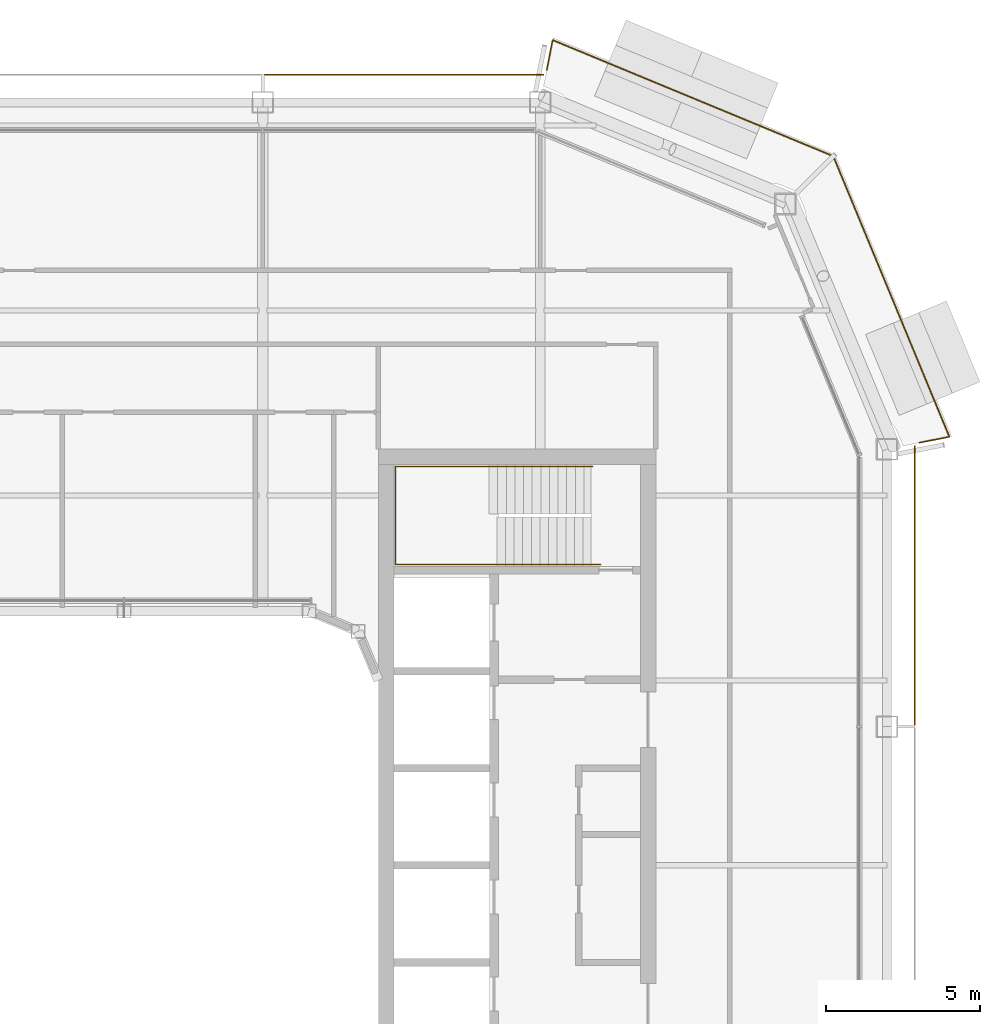
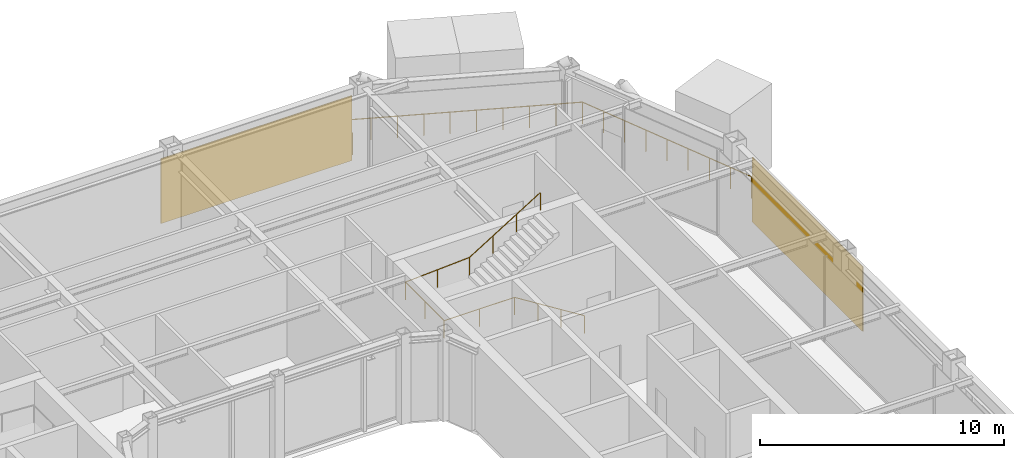
# One storey, part 20 of 21: 2 coverings, 2 railings.
"""IFC4 building model written with IfcOpenShell, lengths in metres."""

from ifc_helpers import new_model, si_unit, direction, frame, origin, origin_2d, place, context, subcontext, project, spatial, rectangle, circle, extrude, material, layer, layer_set, type_object, element, save


model = new_model("IFC4")

# Units and contexts
model_context = context("Model", 3, precision=1e-05, world=origin(), true_north=direction((0.0, 1.0)))
body_context = subcontext(model_context, "Body", "Model", "MODEL_VIEW")
ifc_project = project(units=[si_unit("LENGTHUNIT", "METRE"), si_unit("AREAUNIT", "SQUARE_METRE"), si_unit("VOLUMEUNIT", "CUBIC_METRE"), si_unit("PLANEANGLEUNIT", "RADIAN"), si_unit("MASSUNIT", "GRAM", prefix="KILO")], contexts=[model_context])

# Site, building, storey
site_placement = place(None, origin())
site = spatial("IfcSite", under=ifc_project, at=site_placement, CompositionType="ELEMENT")
building_placement = place(site_placement, origin())
building = spatial("IfcBuilding", under=site, at=building_placement, Name="Siwar Civic Tower", CompositionType="ELEMENT")
storey_placement = place(building_placement, frame((0.0, 0.0, 343.699951171875)))
storey = spatial("IfcBuildingStorey", under=building, at=storey_placement, Name="L74", CompositionType="ELEMENT", Elevation=343.699951171875)

# Railings
ifc_material_1 = material(Name="Stainless steel", Category="steel")
railing_type_1 = type_object("IfcRailingType", Name="CORE-STAIR-HANDRAIL", PredefinedType="HANDRAIL", material=ifc_material_1)
railing_1_placement = place(storey_placement, frame((15.449951171875, 9.758056640625, 0.173095703125)))
element("IfcRailing", 1, at=railing_1_placement, inside=storey, type_object=railing_type_1, Name="Stair handrail ST3", PredefinedType="HANDRAIL", context=body_context, shape_type="SweptSolid", body=[
    extrude(circle(Radius=0.02001953125, at=origin_2d()), frame((0.0, 0.0, 0.8798828125), z_axis=(-0.847063342986, 0.0, 0.531491950051), x_axis=(0.0, -1.0, 0.0)), (0.0, 0.0, 1.0), 3.90771484375),
    extrude(circle(Radius=0.02001953125, at=origin_2d()), frame((-3.31005859375, 0.0, 2.956787109375), z_axis=(-1.0, 0.0, 0.0), x_axis=(0.0, -1.0, 0.0)), (0.0, 0.0, 1.0), 3.331787109375),
    extrude(circle(Radius=0.02001953125, at=origin_2d()), frame((-6.641845703125, 0.0, 2.956787109375), z_axis=(0.0, 1.0, 0.0), x_axis=(-1.0, 0.0, 0.0)), (0.0, 0.0, 1.0), 3.183837890625),
    extrude(circle(Radius=0.02001953125, at=origin_2d()), frame((-6.641845703125, 3.183837890625, 2.956787109375), z_axis=(0.99837434197, 0.0, 0.056997134106), x_axis=(0.0, 1.0, 0.0)), (0.0, 0.0, 1.0), 3.036865234375),
    extrude(circle(Radius=0.02001953125, at=origin_2d()), frame((-3.60986328125, 3.183837890625, 3.1298828125), z_axis=(0.850606129759, 0.0, 0.525803396734), x_axis=(0.0, 1.0, 0.0)), (0.0, 0.0, 1.0), 3.949951171875),
    extrude(circle(Radius=0.02001953125, at=origin_2d()), origin(), (0.0, 0.0, 1.0), 0.85986328125),
    extrude(circle(Radius=0.02001953125, at=origin_2d()), frame((-1.103271484375, 0.0, 0.6923828125)), (0.0, 0.0, 1.0), 0.85986328125),
    extrude(circle(Radius=0.02001953125, at=origin_2d()), frame((-2.206787109375, 0.0, 1.384521484375)), (0.0, 0.0, 1.0), 0.85986328125),
    extrude(circle(Radius=0.02001953125, at=origin_2d()), frame((-3.31005859375, 0.0, 2.076904296875)), (0.0, 0.0, 1.0), 0.85986328125),
    extrude(circle(Radius=0.02001953125, at=origin_2d()), frame((-4.97607421875, 0.0, 2.076904296875)), (0.0, 0.0, 1.0), 0.85986328125),
    extrude(circle(Radius=0.02001953125, at=origin_2d()), frame((-6.641845703125, 0.0, 2.076904296875)), (0.0, 0.0, 1.0), 0.85986328125),
    extrude(circle(Radius=0.02001953125, at=origin_2d()), frame((-6.641845703125, 1.591796875, 2.076904296875)), (0.0, 0.0, 1.0), 0.85986328125),
    extrude(circle(Radius=0.02001953125, at=origin_2d()), frame((-6.641845703125, 3.183837890625, 2.076904296875)), (0.0, 0.0, 1.0), 0.85986328125),
    extrude(circle(Radius=0.02001953125, at=origin_2d()), frame((-5.1259765625, 3.183837890625, 2.16357421875)), (0.0, 0.0, 1.0), 0.85986328125),
    extrude(circle(Radius=0.02001953125, at=origin_2d()), frame((-3.60986328125, 3.183837890625, 2.25)), (0.0, 0.0, 1.0), 0.85986328125),
    extrude(circle(Radius=0.02001953125, at=origin_2d()), frame((-2.489990234375, 3.183837890625, 2.9423828125)), (0.0, 0.0, 1.0), 0.85986328125),
    extrude(circle(Radius=0.02001953125, at=origin_2d()), frame((-1.369873046875, 3.183837890625, 3.634521484375)), (0.0, 0.0, 1.0), 0.85986328125),
    extrude(circle(Radius=0.02001953125, at=origin_2d()), frame((-0.25, 3.183837890625, 4.326904296875)), (0.0, 0.0, 1.0), 0.85986328125),
])
ifc_material_2 = material(Name="Stainless steel 316", Category="steel")
railing_type_2 = type_object("IfcRailingType", Name="ENV-GUARD", PredefinedType="GUARDRAIL", material=ifc_material_2)
railing_2_placement = place(storey_placement, frame((25.797119140625, 13.708251953125, 0.0)))
element("IfcRailing", 2, at=railing_2_placement, inside=storey, type_object=railing_type_2, Name="Balcony guard NE", PredefinedType="GUARDRAIL", context=body_context, shape_type="SweptSolid", body=[
    extrude(circle(Radius=0.02392578125, at=origin_2d()), frame((0.0, 0.0, 1.076171875), z_axis=(0.980778661911, 0.195123592472, 0.0), x_axis=(-0.195123592472, 0.980778661911, 0.0)), (0.0, 0.0, 1.0), 0.993408203125),
    extrude(circle(Radius=0.02392578125, at=origin_2d()), frame((0.974365234375, 0.19384765625, 1.076171875), z_axis=(-0.38225621169, 0.924056377406, 0.0), x_axis=(-0.924056377406, -0.38225621169, 0.0)), (0.0, 0.0, 1.0), 9.851806640625),
    extrude(circle(Radius=0.02392578125, at=origin_2d()), frame((-2.79150390625, 9.29736328125, 1.076171875), z_axis=(-0.924056377406, 0.38225621169, 0.0), x_axis=(-0.38225621169, -0.924056377406, 0.0)), (0.0, 0.0, 1.0), 9.851806640625),
    extrude(circle(Radius=0.02392578125, at=origin_2d()), frame((-11.89501953125, 13.063232421875, 1.076171875), z_axis=(-0.195123592472, -0.980778661911, 0.0), x_axis=(0.980778661911, -0.195123592472, 0.0)), (0.0, 0.0, 1.0), 0.993408203125),
    extrude(circle(Radius=0.02099609375, at=origin_2d()), origin(), (0.0, 0.0, 1.0), 1.052001953125),
    extrude(circle(Radius=0.02099609375, at=origin_2d()), frame((0.974365234375, 0.19384765625, 0.0)), (0.0, 0.0, 1.0), 1.052001953125),
    extrude(circle(Radius=0.02099609375, at=origin_2d()), frame((0.555908203125, 1.205322265625, 0.0)), (0.0, 0.0, 1.0), 1.052001953125),
    extrude(circle(Radius=0.02099609375, at=origin_2d()), frame((0.137451171875, 2.216796875, 0.0)), (0.0, 0.0, 1.0), 1.052001953125),
    extrude(circle(Radius=0.02099609375, at=origin_2d()), frame((-0.281005859375, 3.228271484375, 0.0)), (0.0, 0.0, 1.0), 1.052001953125),
    extrude(circle(Radius=0.02099609375, at=origin_2d()), frame((-0.699462890625, 4.23974609375, 0.0)), (0.0, 0.0, 1.0), 1.052001953125),
    extrude(circle(Radius=0.02099609375, at=origin_2d()), frame((-1.11767578125, 5.25146484375, 0.0)), (0.0, 0.0, 1.0), 1.052001953125),
    extrude(circle(Radius=0.02099609375, at=origin_2d()), frame((-1.5361328125, 6.262939453125, 0.0)), (0.0, 0.0, 1.0), 1.052001953125),
    extrude(circle(Radius=0.02099609375, at=origin_2d()), frame((-1.95458984375, 7.2744140625, 0.0)), (0.0, 0.0, 1.0), 1.052001953125),
    extrude(circle(Radius=0.02099609375, at=origin_2d()), frame((-2.373046875, 8.285888671875, 0.0)), (0.0, 0.0, 1.0), 1.052001953125),
    extrude(circle(Radius=0.02099609375, at=origin_2d()), frame((-2.79150390625, 9.29736328125, 0.0)), (0.0, 0.0, 1.0), 1.052001953125),
    extrude(circle(Radius=0.02099609375, at=origin_2d()), frame((-3.802978515625, 9.7158203125, 0.0)), (0.0, 0.0, 1.0), 1.052001953125),
    extrude(circle(Radius=0.02099609375, at=origin_2d()), frame((-4.814453125, 10.13427734375, 0.0)), (0.0, 0.0, 1.0), 1.052001953125),
    extrude(circle(Radius=0.02099609375, at=origin_2d()), frame((-5.825927734375, 10.552734375, 0.0)), (0.0, 0.0, 1.0), 1.052001953125),
    extrude(circle(Radius=0.02099609375, at=origin_2d()), frame((-6.83740234375, 10.97119140625, 0.0)), (0.0, 0.0, 1.0), 1.052001953125),
    extrude(circle(Radius=0.02099609375, at=origin_2d()), frame((-7.84912109375, 11.389404296875, 0.0)), (0.0, 0.0, 1.0), 1.052001953125),
    extrude(circle(Radius=0.02099609375, at=origin_2d()), frame((-8.860595703125, 11.807861328125, 0.0)), (0.0, 0.0, 1.0), 1.052001953125),
    extrude(circle(Radius=0.02099609375, at=origin_2d()), frame((-9.8720703125, 12.226318359375, 0.0)), (0.0, 0.0, 1.0), 1.052001953125),
    extrude(circle(Radius=0.02099609375, at=origin_2d()), frame((-10.883544921875, 12.644775390625, 0.0)), (0.0, 0.0, 1.0), 1.052001953125),
    extrude(circle(Radius=0.02099609375, at=origin_2d()), frame((-11.89501953125, 13.063232421875, 0.0)), (0.0, 0.0, 1.0), 1.052001953125),
    extrude(circle(Radius=0.02099609375, at=origin_2d()), frame((-12.0888671875, 12.0888671875, 0.0)), (0.0, 0.0, 1.0), 1.052001953125),
])

# Coverings
ifc_material_3 = material(Name="Perforated aluminium cassette, pale metal", Category="aluminium")
ifc_layer = layer(ifc_material_3, 0.0400390625)
ifc_layer_set = layer_set([ifc_layer], Name="Perforated aluminium cassette, pale metal")
covering_type = type_object("IfcCoveringType", Name="ENV-OUTER SKIN OS-1", PredefinedType="CLADDING", material=ifc_layer_set)
for number, where, z_axis, x_axis, name in (
    (3, (25.64990234375, 9.07958984375, -0.14990234375), (0.0, 0.0, 1.0), (0.0, 1.0, 0.0), "OUTER SKIN OS-1 E 3"),
    (4, (9.07958984375, 25.64990234375, -0.14990234375), (0.0, 0.0, 1.0), (-1.0, 0.0, 0.0), "OUTER SKIN OS-1 N 1"),
):
    element("IfcCovering", number, at=place(storey_placement, frame(where, z_axis=z_axis, x_axis=x_axis)), inside=storey, type_object=covering_type, Name=name, PredefinedType="CLADDING", context=body_context, shape_type="SweptSolid", body=[
        extrude(rectangle(XDim=9.05908203125, YDim=0.0400390625, at=origin_2d()), origin(), (0.0, 0.0, 1.0), 3.25),
    ])

save(model, "model.ifc")
